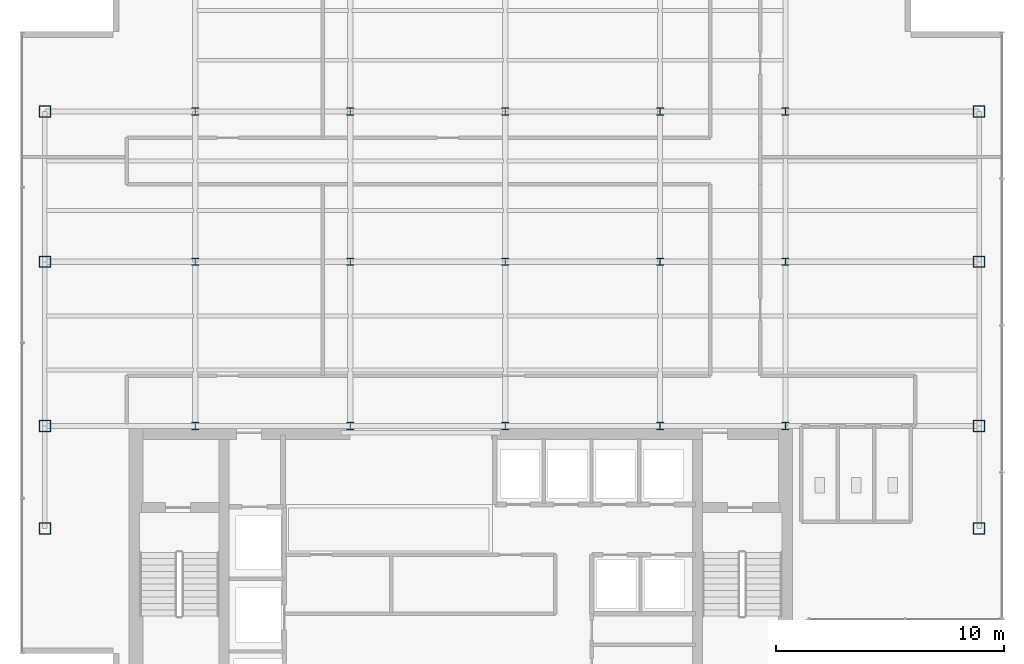
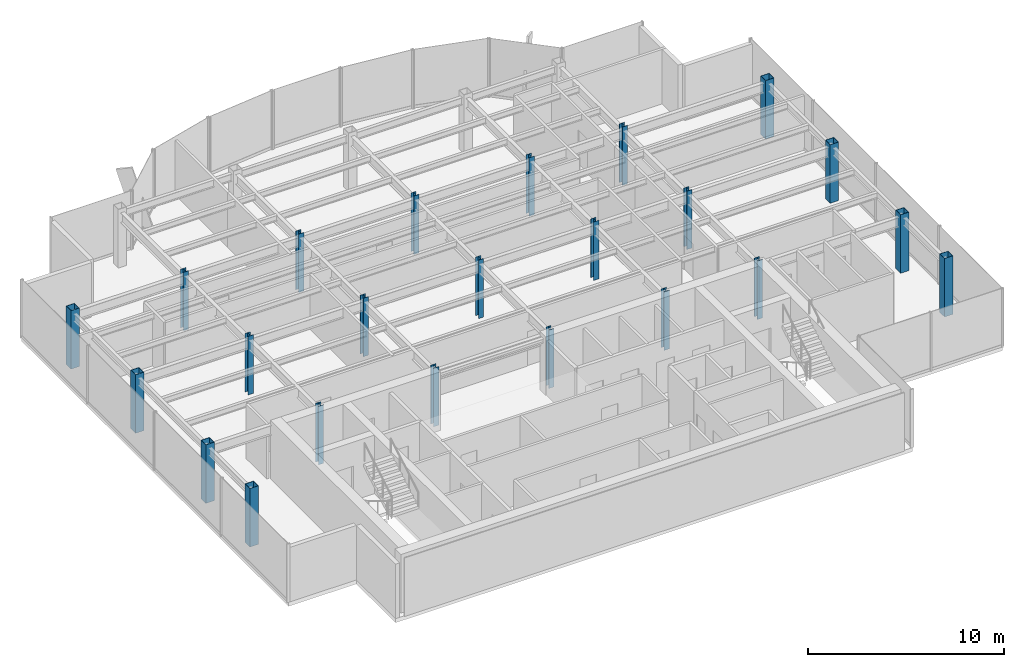
# One storey, part 1 of 22: 23 columns.
"""IFC4 building model written with IfcOpenShell, lengths in metres."""

import ifcopenshell
import ifcopenshell.guid

model = None  # the IFC model being written
_history = None  # IfcOwnerHistory: only IFC2X3 demands one
_inside = {}  # id of a spatial element -> (the spatial element, [elements in it])
_under = {}  # id of a project, library or spatial element -> (it, [spatial elements below it])
_declared = {}  # id of a project -> (the project, [libraries it declares])
_typed = {}  # id of a type object -> (the type object, [elements of that type])
_made_of = {}  # id of a material, layer set ... -> (it, [elements and type objects made of it])


def new_model(schema):
    """Start an empty IFC model of exactly this schema.

    Asked for "IFC4X3", IfcOpenShell would pick the latest addendum, in which some entities
    have other attributes; the version numbers below select the first issue.
    IFC2X3 requires an IfcOwnerHistory on every rooted entity: one is made here for all.
    """
    global model, _history
    if schema == "IFC4X3":
        model = ifcopenshell.file(schema_version=(4, 3, 0, 0))
    else:
        model = ifcopenshell.file(schema=schema)
    _inside.clear()
    _under.clear()
    _declared.clear()
    _typed.clear()
    _made_of.clear()
    _history = None
    if model.schema == "IFC2X3":
        org = make("IfcOrganization", Name="unknown")
        user = make(
            "IfcPersonAndOrganization",
            ThePerson=make("IfcPerson", FamilyName="unknown"),
            TheOrganization=org,
        )
        app = make(
            "IfcApplication",
            ApplicationDeveloper=org,
            Version="unknown",
            ApplicationFullName="unknown",
            ApplicationIdentifier="unknown",
        )
        _history = make(
            "IfcOwnerHistory",
            OwningUser=user,
            OwningApplication=app,
            ChangeAction="ADDED",
            CreationDate=0,
        )
    return model


def make(cls, **values):
    """One entity of the class cls with the attributes given. An attribute that is None is left unset."""
    return model.create_entity(
        cls, **{name: value for name, value in values.items() if value is not None}
    )


def rooted(cls, **values):
    """An entity with a GlobalId (a new one), such as an element, a storey or a relation."""
    return make(cls, GlobalId=ifcopenshell.guid.new(), OwnerHistory=_history, **values)


def si_unit(unit_type, name, prefix=None):
    """IfcSIUnit, for example si_unit("LENGTHUNIT", "METRE", prefix="MILLI")."""
    return make("IfcSIUnit", UnitType=unit_type, Prefix=prefix, Name=name)


def derived_unit(unit_type, elements):
    """IfcDerivedUnit: a product of units, each with its exponent."""
    return make(
        "IfcDerivedUnit",
        Elements=[
            make("IfcDerivedUnitElement", Unit=unit, Exponent=power)
            for unit, power in elements
        ],
        UnitType=unit_type,
    )


def assignment(units):
    """IfcUnitAssignment: the units of a project."""
    return None if units is None else make("IfcUnitAssignment", Units=units)


def point(xyz):
    """IfcCartesianPoint."""
    return None if xyz is None else make("IfcCartesianPoint", Coordinates=xyz)


def direction(xyz):
    """IfcDirection."""
    return None if xyz is None else make("IfcDirection", DirectionRatios=xyz)


def frame(location, z_axis=None, x_axis=None):
    """IfcAxis2Placement3D, a coordinate frame: its origin and axes. An axis left out is left unset."""
    return make(
        "IfcAxis2Placement3D",
        Location=point(location),
        Axis=direction(z_axis),
        RefDirection=direction(x_axis),
    )


def frame_2d(location, x_axis=None):
    """IfcAxis2Placement2D, a coordinate frame in the plane: its origin and x axis."""
    return make(
        "IfcAxis2Placement2D", Location=point(location), RefDirection=direction(x_axis)
    )


def origin():
    """The frame at (0, 0, 0) with its axes left unset."""
    return frame((0.0, 0.0, 0.0))


def origin_2d():
    """The frame at (0, 0) in the plane with its x axis left unset."""
    return frame_2d((0.0, 0.0))


def place(relative_to, where):
    """IfcLocalPlacement: puts the frame where relative to a parent placement (None: the world)."""
    return make(
        "IfcLocalPlacement", PlacementRelTo=relative_to, RelativePlacement=where
    )


def context(
    kind, dimensions, precision=None, world=None, true_north=None, identifier=None
):
    """IfcGeometricRepresentationContext, for example the 3D "Model" context."""
    return make(
        "IfcGeometricRepresentationContext",
        ContextIdentifier=identifier,
        ContextType=kind,
        CoordinateSpaceDimension=dimensions,
        Precision=precision,
        WorldCoordinateSystem=world,
        TrueNorth=true_north,
    )


def subcontext(parent, identifier, kind, view, scale=None):
    """IfcGeometricRepresentationSubContext, for example "Body" below "Model"."""
    return make(
        "IfcGeometricRepresentationSubContext",
        ContextIdentifier=identifier,
        ContextType=kind,
        ParentContext=parent,
        TargetScale=scale,
        TargetView=view,
    )


def project(units=None, contexts=None):
    """IfcProject with its units and contexts."""
    return rooted(
        "IfcProject",
        Name="project",
        RepresentationContexts=contexts,
        UnitsInContext=assignment(units),
    )


def spatial(cls, under=None, at=None, **own):
    """A site, building, storey or space (cls), placed at a placement, below another one or the project."""
    s = rooted(cls, ObjectPlacement=at, **own)
    if under is not None:
        _under.setdefault(under.id(), (under, []))[1].append(s)
    return s


def profile(cls, at=None, kind="AREA", **sizes):
    """A parametric profile (cls). Its sizes go by their IFC names, for example OverallWidth=200.0."""
    return make(cls, ProfileType=kind, Position=at, **sizes)


def hollow_rectangle(**sizes):
    """IfcRectangleHollowProfileDef."""
    return profile("IfcRectangleHollowProfileDef", **sizes)


def i_section(**sizes):
    """IfcIShapeProfileDef."""
    return profile("IfcIShapeProfileDef", **sizes)


def extrude(swept, where, along, depth):
    """IfcExtrudedAreaSolid: the profile swept, set in the frame where, extruded along a direction by depth."""
    return make(
        "IfcExtrudedAreaSolid",
        SweptArea=swept,
        Position=where,
        ExtrudedDirection=direction(along),
        Depth=depth,
    )


def shape(context_of_items, identifier, shape_type, items):
    """IfcShapeRepresentation: the items that make up one representation, for example the "Body"."""
    return make(
        "IfcShapeRepresentation",
        ContextOfItems=context_of_items,
        RepresentationIdentifier=identifier,
        RepresentationType=shape_type,
        Items=items,
    )


def source(mapping_origin, context_of_items, identifier, shape_type, items):
    """IfcRepresentationMap: a shape defined once, which mapped items show again and again."""
    return make(
        "IfcRepresentationMap",
        MappingOrigin=mapping_origin,
        MappedRepresentation=shape(context_of_items, identifier, shape_type, items),
    )


def transform(
    local_origin,
    x_axis=None,
    y_axis=None,
    z_axis=None,
    scale=None,
    scale2=None,
    scale3=None,
    uniform=True,
):
    """IfcCartesianTransformationOperator3D, or its non-uniform kind. x_axis, y_axis, z_axis: its Axis1, 2, 3."""
    if uniform:
        return make(
            "IfcCartesianTransformationOperator3D",
            Axis1=direction(x_axis),
            Axis2=direction(y_axis),
            LocalOrigin=point(local_origin),
            Scale=scale,
            Axis3=direction(z_axis),
        )
    return make(
        "IfcCartesianTransformationOperator3DnonUniform",
        Axis1=direction(x_axis),
        Axis2=direction(y_axis),
        LocalOrigin=point(local_origin),
        Scale=scale,
        Axis3=direction(z_axis),
        Scale2=scale2,
        Scale3=scale3,
    )


def mapped(mapping_source, mapping_target):
    """IfcMappedItem: shows the shape of a source again, moved by a transform."""
    return make(
        "IfcMappedItem", MappingSource=mapping_source, MappingTarget=mapping_target
    )


def material(Name=None, Category=None):
    """IfcMaterial."""
    return make("IfcMaterial", Name=Name, Category=Category)


def material_profile(
    of_material, cross_section, Name=None, Category=None, Priority=None
):
    """IfcMaterialProfile: a cross section and its material."""
    return make(
        "IfcMaterialProfile",
        Name=Name,
        Material=of_material,
        Profile=cross_section,
        Priority=Priority,
        Category=Category,
    )


def profile_set(profiles, Name=None, composite=None):
    """IfcMaterialProfileSet."""
    return make(
        "IfcMaterialProfileSet",
        Name=Name,
        MaterialProfiles=profiles,
        CompositeProfile=composite,
    )


def made_of(thing, what):
    """Note that an element or type object is made of a material, layer set ...; save() writes the relation."""
    if what is not None:
        _made_of.setdefault(what.id(), (what, []))[1].append(thing)
    return thing


def type_object(cls, material=None, **own):
    """A type object (cls), such as IfcWallType, which elements share."""
    return made_of(rooted(cls, **own), material)


def element(
    cls,
    number,
    at=None,
    inside=None,
    cuts=None,
    type_object=None,
    material=None,
    context=None,
    identifier="Body",
    shape_type=None,
    held_by="IfcProductDefinitionShape",
    body=None,
    shapes=None,
    **own,
):
    """One element of the class cls, such as IfcWall. Its Tag is "e" and its number.

    at: its placement. inside: the storey or other place that contains it. cuts: it is an
    opening in that element (IfcRelVoidsElement). A single representation is given by context,
    identifier, shape_type and body (its items); several are given by shapes. held_by: the class
    of the entity that holds the representations. save() writes the other relations.
    """
    e = rooted(cls, Tag="e%d" % number, ObjectPlacement=at, **own)
    if body is not None:
        shapes = [shape(context, identifier, shape_type, body)]
    if shapes is not None:
        e.Representation = make(held_by, Representations=shapes)
    if inside is not None:
        _inside.setdefault(inside.id(), (inside, []))[1].append(e)
    if cuts is not None:
        rooted(
            "IfcRelVoidsElement", RelatingBuildingElement=cuts, RelatedOpeningElement=e
        )
    if type_object is not None:
        _typed.setdefault(type_object.id(), (type_object, []))[1].append(e)
    return made_of(e, material)


def aggregate(whole, parts):
    """IfcRelAggregates: a whole, such as a stair, and the parts it consists of."""
    return rooted("IfcRelAggregates", RelatingObject=whole, RelatedObjects=parts)


def save(model, path):
    """Write the relations noted so far, then the file.

    IfcRelAggregates (storeys below a building ...), IfcRelContainedInSpatialStructure (elements
    in a storey), IfcRelDefinesByType, IfcRelAssociatesMaterial and IfcRelDeclares: one each for
    every whole, place, type object, material and project.
    """
    for whole, parts in _under.values():
        aggregate(whole, parts)
    for where, things in _inside.values():
        rooted(
            "IfcRelContainedInSpatialStructure",
            RelatedElements=things,
            RelatingStructure=where,
        )
    for kind, things in _typed.values():
        rooted("IfcRelDefinesByType", RelatedObjects=things, RelatingType=kind)
    for what, things in _made_of.values():
        rooted("IfcRelAssociatesMaterial", RelatedObjects=things, RelatingMaterial=what)
    for by, libraries in _declared.values():
        rooted("IfcRelDeclares", RelatingContext=by, RelatedDefinitions=libraries)
    model.write(path)


model = new_model("IFC4")

# Units and contexts
model_context = context("Model", 3, precision=1e-05, world=origin(), true_north=direction((0.0, 1.0)))
body_context = subcontext(model_context, "Body", "Model", "MODEL_VIEW")
ifc_project = project(units=[si_unit("LENGTHUNIT", "METRE"), si_unit("AREAUNIT", "SQUARE_METRE"), si_unit("VOLUMEUNIT", "CUBIC_METRE"), si_unit("PLANEANGLEUNIT", "RADIAN"), si_unit("MASSUNIT", "GRAM", prefix="KILO"), derived_unit("THERMALTRANSMITTANCEUNIT", [(si_unit("POWERUNIT", "WATT"), 1), (si_unit("LENGTHUNIT", "METRE"), -2), (si_unit("THERMODYNAMICTEMPERATUREUNIT", "KELVIN"), -1)])], contexts=[model_context])

# Site, building, storey
site_placement = place(None, origin())
site = spatial("IfcSite", under=ifc_project, at=site_placement, CompositionType="ELEMENT")
building_placement = place(site_placement, origin())
building = spatial("IfcBuilding", under=site, at=building_placement, Name="Skarnbrae Concourse Arena and Tower", CompositionType="ELEMENT")
storey_placement = place(building_placement, frame((0.0, 0.0, 199.550048828125)))
storey = spatial("IfcBuildingStorey", under=building, at=storey_placement, Name="L51", CompositionType="ELEMENT", Elevation=199.550048828125)

# Columns
ifc_material = material(Name="Steel CSA G40.21 350W", Category="steel")
ifc_material_profile_1 = material_profile(ifc_material, hollow_rectangle(XDim=0.5, YDim=0.5, WallThickness=0.02197265625, at=origin_2d()), Name="HSS500X500X22.0")
ifc_profile_set_1 = profile_set([ifc_material_profile_1], Name="Steel CSA G40.21 350W")
column_type_1 = type_object("IfcColumnType", Name="COL-TUBE-HSS500", PredefinedType="COLUMN", material=ifc_profile_set_1)
shared_shape_1 = source(origin(), body_context, "Body", "SweptSolid", [
    extrude(hollow_rectangle(XDim=0.5, YDim=0.5, WallThickness=0.02197265625, at=origin_2d()), origin(), (0.0, 0.0, 1.0), 3.64990234375),
])
for number, where, z_axis, x_axis, name in (
    (1, (1.0, 9.5, 0.0), (0.0, 0.0, 1.0), (1.0, 0.0, 0.0), "L51 Tower column PC_01_01"),
    (2, (1.0, 14.0, 0.0), (0.0, 0.0, 1.0), (1.0, 0.0, 0.0), "L51 Tower column PC_01_02"),
    (3, (1.0, 21.199951171875, 0.0), (0.0, 0.0, 1.0), (1.0, 0.0, 0.0), "L51 Tower column PC_01_03"),
    (4, (1.0, 27.800048828125, 0.0), (0.0, 0.0, 1.0), (1.0, 0.0, 0.0), "L51 Tower column PC_01_04"),
    (5, (42.0, 9.5, 0.0), (0.0, 0.0, 1.0), (1.0, 0.0, 0.0), "L51 Tower column PC_07_01"),
    (6, (42.0, 14.0, 0.0), (0.0, 0.0, 1.0), (1.0, 0.0, 0.0), "L51 Tower column PC_07_02"),
    (7, (42.0, 21.199951171875, 0.0), (0.0, 0.0, 1.0), (1.0, 0.0, 0.0), "L51 Tower column PC_07_03"),
    (8, (42.0, 27.800048828125, 0.0), (0.0, 0.0, 1.0), (1.0, 0.0, 0.0), "L51 Tower column PC_07_04"),
):
    element("IfcColumn", number, at=place(storey_placement, frame(where, z_axis=z_axis, x_axis=x_axis)), inside=storey, type_object=column_type_1, Name=name, PredefinedType="COLUMN", context=body_context, shape_type="MappedRepresentation", body=[
        mapped(shared_shape_1, transform((0.0, 0.0, 0.0))),
    ])
ifc_material_profile_2 = material_profile(ifc_material, i_section(OverallWidth=0.30908203125, OverallDepth=0.322998046875, WebThickness=0.013916015625, FlangeThickness=0.02294921875, at=origin_2d()), Name="W310X143")
ifc_profile_set_2 = profile_set([ifc_material_profile_2], Name="Steel CSA G40.21 350W")
column_type_2 = type_object("IfcColumnType", Name="COL-INT-W310X143", PredefinedType="COLUMN", material=ifc_profile_set_2)
shared_shape_2 = source(origin(), body_context, "Body", "SweptSolid", [
    extrude(i_section(OverallWidth=0.30908203125, OverallDepth=0.322998046875, WebThickness=0.013916015625, FlangeThickness=0.02294921875, at=origin_2d()), origin(), (0.0, 0.0, 1.0), 3.64990234375),
])
for number, where, z_axis, x_axis, name in (
    (9, (7.60009765625, 14.0, 0.0), (0.0, 0.0, 1.0), (1.0, 0.0, 0.0), "L51 Tower column IC_02_02"),
    (10, (7.60009765625, 21.199951171875, 0.0), (0.0, 0.0, 1.0), (1.0, 0.0, 0.0), "L51 Tower column IC_02_03"),
    (11, (7.60009765625, 27.800048828125, 0.0), (0.0, 0.0, 1.0), (1.0, 0.0, 0.0), "L51 Tower column IC_02_04"),
    (12, (14.39990234375, 14.0, 0.0), (0.0, 0.0, 1.0), (1.0, 0.0, 0.0), "L51 Tower column IC_03_02"),
    (13, (14.39990234375, 21.199951171875, 0.0), (0.0, 0.0, 1.0), (1.0, 0.0, 0.0), "L51 Tower column IC_03_03"),
    (14, (14.39990234375, 27.800048828125, 0.0), (0.0, 0.0, 1.0), (1.0, 0.0, 0.0), "L51 Tower column IC_03_04"),
    (15, (21.199951171875, 14.0, 0.0), (0.0, 0.0, 1.0), (1.0, 0.0, 0.0), "L51 Tower column IC_04_02"),
    (16, (21.199951171875, 21.199951171875, 0.0), (0.0, 0.0, 1.0), (1.0, 0.0, 0.0), "L51 Tower column IC_04_03"),
    (17, (21.199951171875, 27.800048828125, 0.0), (0.0, 0.0, 1.0), (1.0, 0.0, 0.0), "L51 Tower column IC_04_04"),
    (18, (28.0, 14.0, 0.0), (0.0, 0.0, 1.0), (1.0, 0.0, 0.0), "L51 Tower column IC_05_02"),
    (19, (28.0, 21.199951171875, 0.0), (0.0, 0.0, 1.0), (1.0, 0.0, 0.0), "L51 Tower column IC_05_03"),
    (20, (28.0, 27.800048828125, 0.0), (0.0, 0.0, 1.0), (1.0, 0.0, 0.0), "L51 Tower column IC_05_04"),
    (21, (33.5, 14.0, 0.0), (0.0, 0.0, 1.0), (1.0, 0.0, 0.0), "L51 Tower column IC_06_02"),
    (22, (33.5, 21.199951171875, 0.0), (0.0, 0.0, 1.0), (1.0, 0.0, 0.0), "L51 Tower column IC_06_03"),
    (23, (33.5, 27.800048828125, 0.0), (0.0, 0.0, 1.0), (1.0, 0.0, 0.0), "L51 Tower column IC_06_04"),
):
    element("IfcColumn", number, at=place(storey_placement, frame(where, z_axis=z_axis, x_axis=x_axis)), inside=storey, type_object=column_type_2, Name=name, PredefinedType="COLUMN", context=body_context, shape_type="MappedRepresentation", body=[
        mapped(shared_shape_2, transform((0.0, 0.0, 0.0))),
    ])

save(model, "model.ifc")
